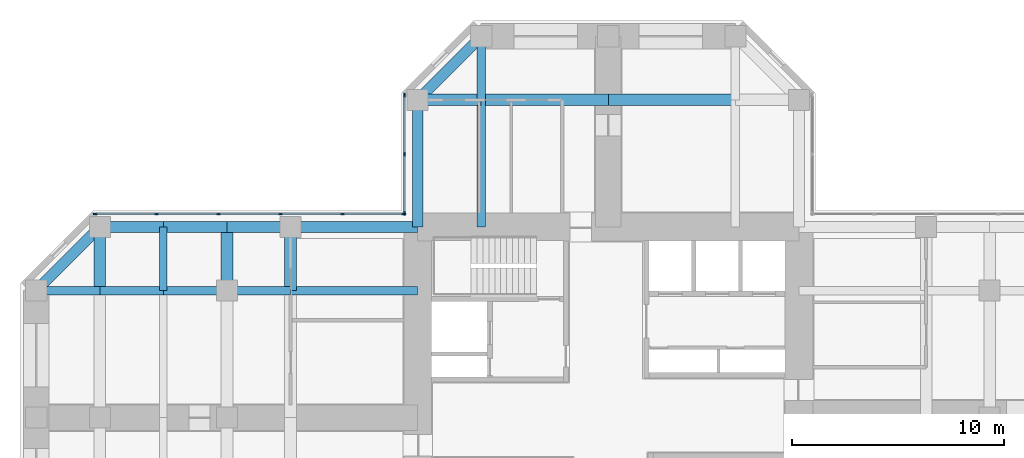
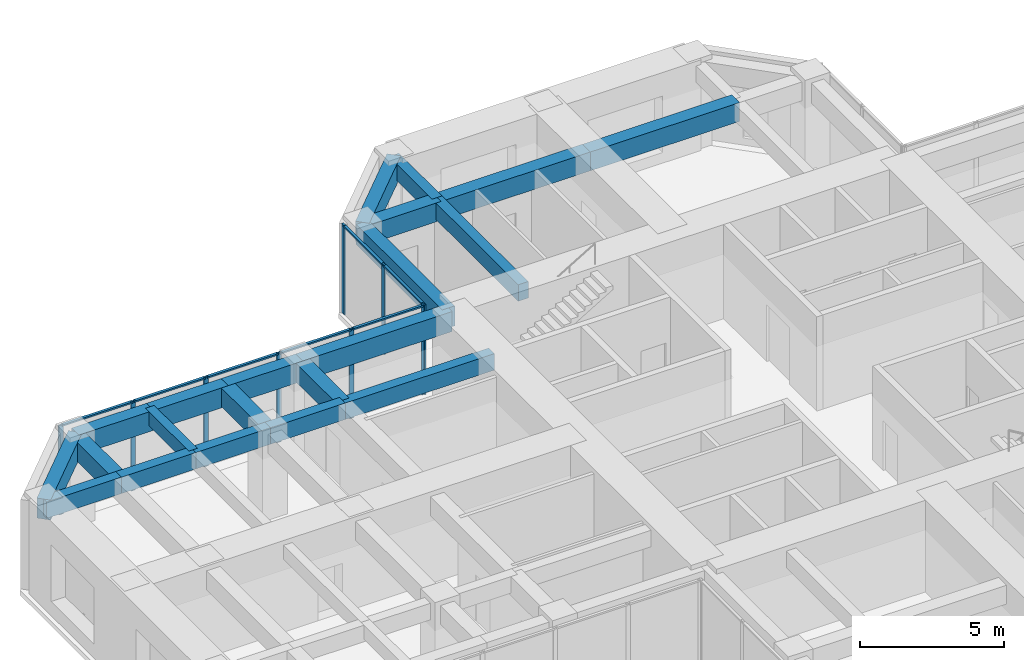
# One storey, part 5 of 12: 21 beams, 16 members, 2 elements without a shape of their own.
"""IFC4 building model written with IfcOpenShell, lengths in metres."""

from ifc_helpers import new_model, si_unit, direction, frame, origin, origin_2d, place, context, subcontext, project, spatial, rectangle, extrude, material, material_profile, profile_set, type_object, element, aggregate, save


model = new_model("IFC4")

# Units and contexts
model_context = context("Model", 3, precision=1e-05, world=origin(), true_north=direction((0.0, 1.0)))
body_context = subcontext(model_context, "Body", "Model", "MODEL_VIEW")
ifc_project = project(units=[si_unit("LENGTHUNIT", "METRE"), si_unit("AREAUNIT", "SQUARE_METRE"), si_unit("VOLUMEUNIT", "CUBIC_METRE"), si_unit("PLANEANGLEUNIT", "RADIAN"), si_unit("MASSUNIT", "GRAM", prefix="KILO")], contexts=[model_context])

# Site, building, storey
site_placement = place(None, origin())
site = spatial("IfcSite", under=ifc_project, at=site_placement, CompositionType="ELEMENT")
building_placement = place(site_placement, origin())
building = spatial("IfcBuilding", under=site, at=building_placement, Name="Torre Cruceta", CompositionType="ELEMENT")
storey_placement = place(building_placement, frame((0.0, 0.0, 144.5)))
storey = spatial("IfcBuildingStorey", under=building, at=storey_placement, Name="L35", CompositionType="ELEMENT", Elevation=144.5)

# Beams
ifc_material_1 = material(Name="Concrete G60 (fck 60 MPa)", Category="concrete")
ifc_material_profile_1 = material_profile(ifc_material_1, rectangle(XDim=0.39990234375, YDim=0.699951171875, at=origin_2d()), Name="RC 400X700")
ifc_profile_set_1 = profile_set([ifc_material_profile_1], Name="Concrete G60 (fck 60 MPa)")
beam_type_1 = type_object("IfcBeamType", Name="COLUMN LINE BEAM RC 400X700", PredefinedType="BEAM", material=ifc_profile_set_1)
beam_1_placement = place(storey_placement, frame((-6.0, 9.0, 3.449951171875), z_axis=(0.0, 1.0, 0.0), x_axis=(-1.0, 0.0, 0.0)))
element("IfcBeam", 1, at=beam_1_placement, inside=storey, type_object=beam_type_1, Name="LB5 L35 N col+ 1", PredefinedType="BEAM", context=body_context, shape_type="SweptSolid", body=[
    extrude(rectangle(XDim=0.39990234375, YDim=0.699951171875, at=origin_2d()), origin(), (0.0, 0.0, 1.0), 6.0),
])
beam_2_placement = place(storey_placement, frame((-6.0, 15.0, 3.449951171875), z_axis=(0.0, 1.0, 0.0), x_axis=(-1.0, 0.0, 0.0)))
element("IfcBeam", 2, at=beam_2_placement, inside=storey, type_object=beam_type_1, Name="LB5 L35 N col+ 2", PredefinedType="BEAM", context=body_context, shape_type="SweptSolid", body=[
    extrude(rectangle(XDim=0.39990234375, YDim=0.699951171875, at=origin_2d()), origin(), (0.0, 0.0, 1.0), 3.0),
])
beam_3_placement = place(storey_placement, frame((-9.0, 6.0, 3.449951171875), z_axis=(-1.0, 0.0, 0.0), x_axis=(0.0, -1.0, 0.0)))
element("IfcBeam", 3, at=beam_3_placement, inside=storey, type_object=beam_type_1, Name="LB5 L35 W col- 1", PredefinedType="BEAM", context=body_context, shape_type="SweptSolid", body=[
    extrude(rectangle(XDim=0.39990234375, YDim=0.699951171875, at=origin_2d()), origin(), (0.0, 0.0, 1.0), 6.0),
])
for number, where, z_axis, x_axis, name in (
    (4, (-15.0, 6.0, 3.449951171875), (-1.0, 0.0, 0.0), (0.0, -1.0, 0.0), "LB5 L35 W col- 2"),
    (5, (-18.0, 6.0, 3.449951171875), (-1.0, 0.0, 0.0), (0.0, -1.0, 0.0), "LB5 L35 W col- 3"),
    (6, (-21.0, 6.0, 3.449951171875), (-1.0, 0.0, 0.0), (0.0, -1.0, 0.0), "LB5 L35 W col- 4"),
    (7, (-24.0, 6.0, 3.449951171875), (-1.0, 0.0, 0.0), (0.0, -1.0, 0.0), "LB5 L35 W col- 5"),
):
    element("IfcBeam", number, at=place(storey_placement, frame(where, z_axis=z_axis, x_axis=x_axis)), inside=storey, type_object=beam_type_1, Name=name, PredefinedType="BEAM", context=body_context, shape_type="SweptSolid", body=[
        extrude(rectangle(XDim=0.39990234375, YDim=0.699951171875, at=origin_2d()), origin(), (0.0, 0.0, 1.0), 3.0),
    ])
ifc_material_2 = material(Name="Concrete G60 (fck 60 MPa)", Category="concrete")
ifc_material_profile_2 = material_profile(ifc_material_2, rectangle(XDim=0.550048828125, YDim=0.800048828125, at=origin_2d()), Name="RC 550X800")
ifc_profile_set_2 = profile_set([ifc_material_profile_2], Name="Concrete G60 (fck 60 MPa)")
beam_type_2 = type_object("IfcBeamType", Name="CROSS BEAM RC 550X800", PredefinedType="BEAM", material=ifc_profile_set_2)
for number, where, z_axis, x_axis, name in (
    (8, (6.0, 15.0, 3.39990234375), (-1.0, 0.0, 0.0), (0.0, -1.0, 0.0), "GB5 L35 N cross15 2"),
    (9, (0.0, 15.0, 3.39990234375), (-1.0, 0.0, 0.0), (0.0, -1.0, 0.0), "GB5 L35 N cross15 3"),
):
    element("IfcBeam", number, at=place(storey_placement, frame(where, z_axis=z_axis, x_axis=x_axis)), inside=storey, type_object=beam_type_2, Name=name, PredefinedType="BEAM", context=body_context, shape_type="SweptSolid", body=[
        extrude(rectangle(XDim=0.550048828125, YDim=0.800048828125, at=origin_2d()), origin(), (0.0, 0.0, 1.0), 6.0),
    ])
for number, where, z_axis, x_axis, name in (
    (10, (-6.0, 15.0, 3.39990234375), (-1.0, 0.0, 0.0), (0.0, -1.0, 0.0), "GB5 L35 N cross15 4"),
    (11, (-15.0, 9.0, 3.39990234375), (0.0, -1.0, 0.0), (1.0, 0.0, 0.0), "GB5 L35 W cross15 1"),
    (12, (-18.0, 9.0, 3.39990234375), (0.0, -1.0, 0.0), (1.0, 0.0, 0.0), "GB5 L35 W cross18 1"),
    (13, (-24.0, 9.0, 3.39990234375), (0.0, -1.0, 0.0), (1.0, 0.0, 0.0), "GB5 L35 W cross24 1"),
):
    element("IfcBeam", number, at=place(storey_placement, frame(where, z_axis=z_axis, x_axis=x_axis)), inside=storey, type_object=beam_type_2, Name=name, PredefinedType="BEAM", context=body_context, shape_type="SweptSolid", body=[
        extrude(rectangle(XDim=0.550048828125, YDim=0.800048828125, at=origin_2d()), origin(), (0.0, 0.0, 1.0), 3.0),
    ])

# Curtain wall, members
ifc_material_3 = material(Name="Aluminium unitised curtain wall", Category="aluminium")
curtain_wall_type = type_object("IfcCurtainWallType", Name="CURTAIN WALL CW-B OFFICE MID RISE", PredefinedType="USERDEFINED", material=ifc_material_3)
curtain_wall_1_placement = place(storey_placement, origin())
curtain_wall_1 = element("IfcCurtainWall", 14, at=curtain_wall_1_placement, inside=storey, type_object=curtain_wall_type, Name="CW-B L35 N side 09", ObjectType="UNITISED", PredefinedType="USERDEFINED")
ifc_material_4 = material(Name="Aluminium mullion", Category="aluminium")
ifc_material_profile_3 = material_profile(ifc_material_4, rectangle(XDim=0.06494140625, YDim=0.179931640625, at=origin_2d()), Name="AL 65X180")
ifc_profile_set_3 = profile_set([ifc_material_profile_3], Name="Aluminium mullion")
member_type_1 = type_object("IfcMemberType", Name="CW-B MULLION 65X180", PredefinedType="MULLION", material=ifc_profile_set_3)
member_1_placement = place(storey_placement, frame((-9.6201171875, 15.224365234375, 0.0), z_axis=(0.0, 0.0, 1.0), x_axis=(1.0, 0.0, 0.0)))
member_1 = element("IfcMember", 15, at=member_1_placement, type_object=member_type_1, Name="CW-B mullion 1", PredefinedType="MULLION", context=body_context, shape_type="SweptSolid", body=[
    extrude(rectangle(XDim=0.06494140625, YDim=0.179931640625, at=origin_2d()), origin(), (0.0, 0.0, 1.0), 3.800048828125),
])
member_2_placement = place(storey_placement, frame((-9.6201171875, 12.4384765625, 0.0), z_axis=(0.0, 0.0, 1.0), x_axis=(1.0, 0.0, 0.0)))
member_2 = element("IfcMember", 16, at=member_2_placement, type_object=member_type_1, Name="CW-B mullion 2", PredefinedType="MULLION", context=body_context, shape_type="SweptSolid", body=[
    extrude(rectangle(XDim=0.06494140625, YDim=0.179931640625, at=origin_2d()), origin(), (0.0, 0.0, 1.0), 3.800048828125),
])
member_3_placement = place(storey_placement, frame((-9.6201171875, 9.652587890625, 0.0), z_axis=(0.0, 0.0, 1.0), x_axis=(1.0, 0.0, 0.0)))
member_3 = element("IfcMember", 17, at=member_3_placement, type_object=member_type_1, Name="CW-B mullion 3", PredefinedType="MULLION", context=body_context, shape_type="SweptSolid", body=[
    extrude(rectangle(XDim=0.06494140625, YDim=0.179931640625, at=origin_2d()), origin(), (0.0, 0.0, 1.0), 3.800048828125),
])

curtain_wall_2_placement = place(storey_placement, origin())
curtain_wall_2 = element("IfcCurtainWall", 18, at=curtain_wall_2_placement, inside=storey, type_object=curtain_wall_type, Name="CW-B L35 W side 10", ObjectType="UNITISED", PredefinedType="USERDEFINED")
member_4_placement = place(storey_placement, frame((-9.652587890625, 9.6201171875, 0.0), z_axis=(0.0, 0.0, 1.0), x_axis=(0.0, -1.0, 0.0)))
member_4 = element("IfcMember", 19, at=member_4_placement, type_object=member_type_1, Name="CW-B mullion 1", PredefinedType="MULLION", context=body_context, shape_type="SweptSolid", body=[
    extrude(rectangle(XDim=0.06494140625, YDim=0.179931640625, at=origin_2d()), origin(), (0.0, 0.0, 1.0), 3.800048828125),
])
member_5_placement = place(storey_placement, frame((-12.54736328125, 9.6201171875, 0.0), z_axis=(0.0, 0.0, 1.0), x_axis=(0.0, -1.0, 0.0)))
member_5 = element("IfcMember", 20, at=member_5_placement, type_object=member_type_1, Name="CW-B mullion 2", PredefinedType="MULLION", context=body_context, shape_type="SweptSolid", body=[
    extrude(rectangle(XDim=0.06494140625, YDim=0.179931640625, at=origin_2d()), origin(), (0.0, 0.0, 1.0), 3.800048828125),
])
member_6_placement = place(storey_placement, frame((-15.474609375, 9.6201171875, 0.0), z_axis=(0.0, 0.0, 1.0), x_axis=(0.0, -1.0, 0.0)))
member_6 = element("IfcMember", 21, at=member_6_placement, type_object=member_type_1, Name="CW-B mullion 3", PredefinedType="MULLION", context=body_context, shape_type="SweptSolid", body=[
    extrude(rectangle(XDim=0.06494140625, YDim=0.179931640625, at=origin_2d()), origin(), (0.0, 0.0, 1.0), 3.800048828125),
])
member_7_placement = place(storey_placement, frame((-18.402099609375, 9.6201171875, 0.0), z_axis=(0.0, 0.0, 1.0), x_axis=(0.0, -1.0, 0.0)))
member_7 = element("IfcMember", 22, at=member_7_placement, type_object=member_type_1, Name="CW-B mullion 4", PredefinedType="MULLION", context=body_context, shape_type="SweptSolid", body=[
    extrude(rectangle(XDim=0.06494140625, YDim=0.179931640625, at=origin_2d()), origin(), (0.0, 0.0, 1.0), 3.800048828125),
])
member_8_placement = place(storey_placement, frame((-21.329345703125, 9.6201171875, 0.0), z_axis=(0.0, 0.0, 1.0), x_axis=(0.0, -1.0, 0.0)))
member_8 = element("IfcMember", 23, at=member_8_placement, type_object=member_type_1, Name="CW-B mullion 5", PredefinedType="MULLION", context=body_context, shape_type="SweptSolid", body=[
    extrude(rectangle(XDim=0.06494140625, YDim=0.179931640625, at=origin_2d()), origin(), (0.0, 0.0, 1.0), 3.800048828125),
])
member_9_placement = place(storey_placement, frame((-24.224365234375, 9.6201171875, 0.0), z_axis=(0.0, 0.0, 1.0), x_axis=(0.0, -1.0, 0.0)))
member_9 = element("IfcMember", 24, at=member_9_placement, type_object=member_type_1, Name="CW-B mullion 6", PredefinedType="MULLION", context=body_context, shape_type="SweptSolid", body=[
    extrude(rectangle(XDim=0.06494140625, YDim=0.179931640625, at=origin_2d()), origin(), (0.0, 0.0, 1.0), 3.800048828125),
])

# Member
ifc_material_5 = material(Name="Aluminium transom", Category="aluminium")
ifc_material_profile_4 = material_profile(ifc_material_5, rectangle(XDim=0.110107421875, YDim=0.06494140625, at=origin_2d()), Name="AL 110X65")
ifc_profile_set_4 = profile_set([ifc_material_profile_4], Name="Aluminium transom")
member_type_2 = type_object("IfcMemberType", Name="CW-B TRANSOM 65X110", PredefinedType="USERDEFINED", material=ifc_profile_set_4)
member_10_placement = place(storey_placement, frame((-9.6201171875, 15.19189453125, 3.767578125), z_axis=(0.0, -1.0, 0.0), x_axis=(1.0, 0.0, 0.0)))
member_10 = element("IfcMember", 25, at=member_10_placement, type_object=member_type_2, Name="CW-B transom 1", ObjectType="TRANSOM", PredefinedType="USERDEFINED", context=body_context, shape_type="SweptSolid", body=[
    extrude(rectangle(XDim=0.110107421875, YDim=0.06494140625, at=origin_2d()), origin(), (0.0, 0.0, 1.0), 2.720947265625),
])

member_11_placement = place(storey_placement, frame((-9.6201171875, 12.406005859375, 3.767578125), z_axis=(0.0, -1.0, 0.0), x_axis=(1.0, 0.0, 0.0)))
member_11 = element("IfcMember", 26, at=member_11_placement, type_object=member_type_2, Name="CW-B transom 2", ObjectType="TRANSOM", PredefinedType="USERDEFINED", context=body_context, shape_type="SweptSolid", body=[
    extrude(rectangle(XDim=0.110107421875, YDim=0.06494140625, at=origin_2d()), origin(), (0.0, 0.0, 1.0), 2.720947265625),
])

aggregate(curtain_wall_1, [member_1, member_2, member_3, member_10, member_11])

member_12_placement = place(storey_placement, frame((-9.68505859375, 9.6201171875, 3.767578125), z_axis=(-1.0, 0.0, 0.0), x_axis=(0.0, -1.0, 0.0)))
member_12 = element("IfcMember", 27, at=member_12_placement, type_object=member_type_2, Name="CW-B transom 1", ObjectType="TRANSOM", PredefinedType="USERDEFINED", context=body_context, shape_type="SweptSolid", body=[
    extrude(rectangle(XDim=0.110107421875, YDim=0.06494140625, at=origin_2d()), origin(), (0.0, 0.0, 1.0), 2.829833984375),
])

member_13_placement = place(storey_placement, frame((-12.579833984375, 9.6201171875, 3.767578125), z_axis=(-1.0, 0.0, 0.0), x_axis=(0.0, -1.0, 0.0)))
member_13 = element("IfcMember", 28, at=member_13_placement, type_object=member_type_2, Name="CW-B transom 2", ObjectType="TRANSOM", PredefinedType="USERDEFINED", context=body_context, shape_type="SweptSolid", body=[
    extrude(rectangle(XDim=0.110107421875, YDim=0.06494140625, at=origin_2d()), origin(), (0.0, 0.0, 1.0), 2.8623046875),
])

member_14_placement = place(storey_placement, frame((-15.50732421875, 9.6201171875, 3.767578125), z_axis=(-1.0, 0.0, 0.0), x_axis=(0.0, -1.0, 0.0)))
member_14 = element("IfcMember", 29, at=member_14_placement, type_object=member_type_2, Name="CW-B transom 3", ObjectType="TRANSOM", PredefinedType="USERDEFINED", context=body_context, shape_type="SweptSolid", body=[
    extrude(rectangle(XDim=0.110107421875, YDim=0.06494140625, at=origin_2d()), origin(), (0.0, 0.0, 1.0), 2.8623046875),
])

member_15_placement = place(storey_placement, frame((-18.4345703125, 9.6201171875, 3.767578125), z_axis=(-1.0, 0.0, 0.0), x_axis=(0.0, -1.0, 0.0)))
member_15 = element("IfcMember", 30, at=member_15_placement, type_object=member_type_2, Name="CW-B transom 4", ObjectType="TRANSOM", PredefinedType="USERDEFINED", context=body_context, shape_type="SweptSolid", body=[
    extrude(rectangle(XDim=0.110107421875, YDim=0.06494140625, at=origin_2d()), origin(), (0.0, 0.0, 1.0), 2.8623046875),
])

member_16_placement = place(storey_placement, frame((-21.362060546875, 9.6201171875, 3.767578125), z_axis=(-1.0, 0.0, 0.0), x_axis=(0.0, -1.0, 0.0)))
member_16 = element("IfcMember", 31, at=member_16_placement, type_object=member_type_2, Name="CW-B transom 5", ObjectType="TRANSOM", PredefinedType="USERDEFINED", context=body_context, shape_type="SweptSolid", body=[
    extrude(rectangle(XDim=0.110107421875, YDim=0.06494140625, at=origin_2d()), origin(), (0.0, 0.0, 1.0), 2.829833984375),
])

aggregate(curtain_wall_2, [member_4, member_5, member_6, member_7, member_8, member_9, member_12, member_13, member_14, member_15, member_16])

# Beams
ifc_material_6 = material(Name="Concrete G60 (fck 60 MPa)", Category="concrete")
ifc_material_profile_5 = material_profile(ifc_material_6, rectangle(XDim=0.35009765625, YDim=0.60009765625, at=origin_2d()), Name="RC 350X600")
ifc_profile_set_5 = profile_set([ifc_material_profile_5], Name="Concrete G60 (fck 60 MPa)")
beam_type_3 = type_object("IfcBeamType", Name="SECONDARY BEAM RC 350X600", PredefinedType="JOIST", material=ifc_profile_set_5)
beam_4_placement = place(storey_placement, frame((-21.0, 9.0, 3.5), z_axis=(0.0, -1.0, 0.0), x_axis=(1.0, 0.0, 0.0)))
element("IfcBeam", 32, at=beam_4_placement, inside=storey, type_object=beam_type_3, Name="JB5 L35 W sec21 1", PredefinedType="JOIST", context=body_context, shape_type="SweptSolid", body=[
    extrude(rectangle(XDim=0.35009765625, YDim=0.60009765625, at=origin_2d()), origin(), (0.0, 0.0, 1.0), 3.0),
])
ifc_material_7 = material(Name="Concrete G60 (fck 60 MPa)", Category="concrete")
ifc_material_profile_6 = material_profile(ifc_material_7, rectangle(XDim=0.5, YDim=0.85009765625, at=origin_2d()), Name="RC 500X850")
ifc_profile_set_6 = profile_set([ifc_material_profile_6], Name="Concrete G60 (fck 60 MPa)")
beam_type_4 = type_object("IfcBeamType", Name="SPANDREL BEAM RC 500X850", PredefinedType="SPANDREL", material=ifc_profile_set_6)
beam_5_placement = place(storey_placement, frame((-9.0, 9.0, 3.375), z_axis=(0.0, 1.0, 0.0), x_axis=(-1.0, 0.0, 0.0)))
element("IfcBeam", 33, at=beam_5_placement, inside=storey, type_object=beam_type_4, Name="SB5 L35 N side+ 1", PredefinedType="SPANDREL", context=body_context, shape_type="SweptSolid", body=[
    extrude(rectangle(XDim=0.5, YDim=0.85009765625, at=origin_2d()), origin(), (0.0, 0.0, 1.0), 6.0),
])
beam_6_placement = place(storey_placement, frame((-9.0, 15.0, 3.375), z_axis=(0.707106781187, 0.707106781187, 0.0), x_axis=(-0.707106781187, 0.707106781187, 0.0)))
element("IfcBeam", 34, at=beam_6_placement, inside=storey, type_object=beam_type_4, Name="SB5 L35 N side+ 2", PredefinedType="SPANDREL", context=body_context, shape_type="SweptSolid", body=[
    extrude(rectangle(XDim=0.5, YDim=0.85009765625, at=origin_2d()), origin(), (0.0, 0.0, 1.0), 4.24267578125),
])
beam_7_placement = place(storey_placement, frame((-9.0, 9.0, 3.375), z_axis=(-1.0, 0.0, 0.0), x_axis=(0.0, -1.0, 0.0)))
element("IfcBeam", 35, at=beam_7_placement, inside=storey, type_object=beam_type_4, Name="SB5 L35 W side- 1", PredefinedType="SPANDREL", context=body_context, shape_type="SweptSolid", body=[
    extrude(rectangle(XDim=0.5, YDim=0.85009765625, at=origin_2d()), origin(), (0.0, 0.0, 1.0), 6.0),
])
for number, where, z_axis, x_axis, name in (
    (36, (-15.0, 9.0, 3.375), (-1.0, 0.0, 0.0), (0.0, -1.0, 0.0), "SB5 L35 W side- 2"),
    (37, (-18.0, 9.0, 3.375), (-1.0, 0.0, 0.0), (0.0, -1.0, 0.0), "SB5 L35 W side- 3"),
    (38, (-21.0, 9.0, 3.375), (-1.0, 0.0, 0.0), (0.0, -1.0, 0.0), "SB5 L35 W side- 4"),
):
    element("IfcBeam", number, at=place(storey_placement, frame(where, z_axis=z_axis, x_axis=x_axis)), inside=storey, type_object=beam_type_4, Name=name, PredefinedType="SPANDREL", context=body_context, shape_type="SweptSolid", body=[
        extrude(rectangle(XDim=0.5, YDim=0.85009765625, at=origin_2d()), origin(), (0.0, 0.0, 1.0), 3.0),
    ])
beam_8_placement = place(storey_placement, frame((-24.0, 9.0, 3.375), z_axis=(-0.707106781187, -0.707106781187, 0.0), x_axis=(0.707106781187, -0.707106781187, 0.0)))
element("IfcBeam", 39, at=beam_8_placement, inside=storey, type_object=beam_type_4, Name="SB5 L35 W side- 5", PredefinedType="SPANDREL", context=body_context, shape_type="SweptSolid", body=[
    extrude(rectangle(XDim=0.5, YDim=0.85009765625, at=origin_2d()), origin(), (0.0, 0.0, 1.0), 4.24267578125),
])

save(model, "model.ifc")
